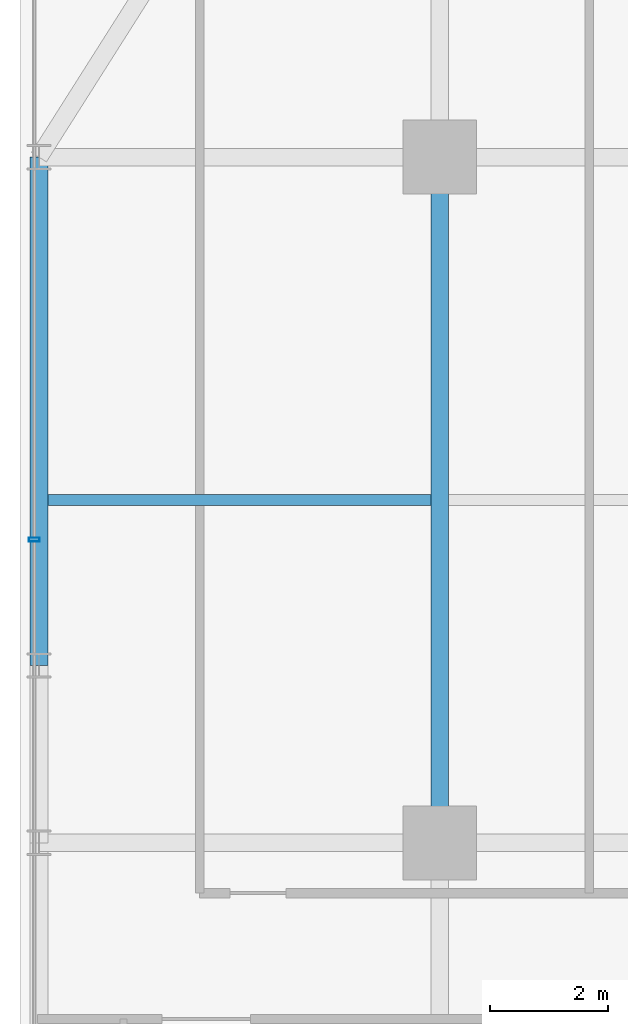
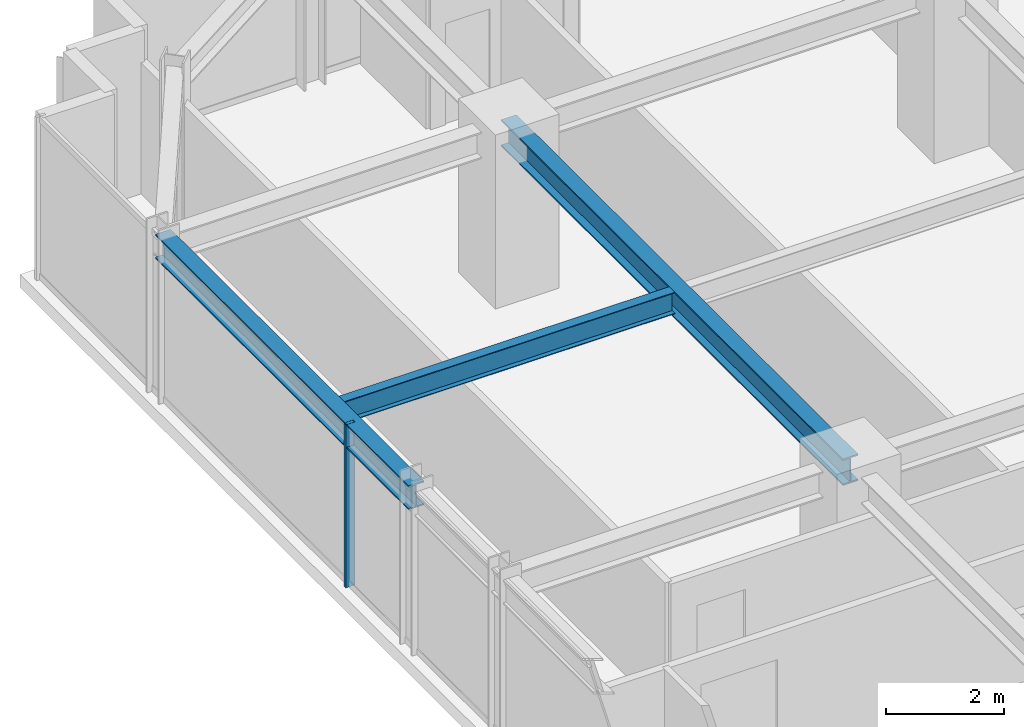
# One storey, part 16 of 41: 3 beams, 1 member, 1 element without a shape of its own.
"""IFC4 building model written with IfcOpenShell, lengths in metres."""

import ifcopenshell
import ifcopenshell.guid

model = None  # the IFC model being written
_history = None  # IfcOwnerHistory: only IFC2X3 demands one
_inside = {}  # id of a spatial element -> (the spatial element, [elements in it])
_under = {}  # id of a project, library or spatial element -> (it, [spatial elements below it])
_declared = {}  # id of a project -> (the project, [libraries it declares])
_typed = {}  # id of a type object -> (the type object, [elements of that type])
_made_of = {}  # id of a material, layer set ... -> (it, [elements and type objects made of it])


def new_model(schema):
    """Start an empty IFC model of exactly this schema.

    Asked for "IFC4X3", IfcOpenShell would pick the latest addendum, in which some entities
    have other attributes; the version numbers below select the first issue.
    IFC2X3 requires an IfcOwnerHistory on every rooted entity: one is made here for all.
    """
    global model, _history
    if schema == "IFC4X3":
        model = ifcopenshell.file(schema_version=(4, 3, 0, 0))
    else:
        model = ifcopenshell.file(schema=schema)
    _inside.clear()
    _under.clear()
    _declared.clear()
    _typed.clear()
    _made_of.clear()
    _history = None
    if model.schema == "IFC2X3":
        org = make("IfcOrganization", Name="unknown")
        user = make(
            "IfcPersonAndOrganization",
            ThePerson=make("IfcPerson", FamilyName="unknown"),
            TheOrganization=org,
        )
        app = make(
            "IfcApplication",
            ApplicationDeveloper=org,
            Version="unknown",
            ApplicationFullName="unknown",
            ApplicationIdentifier="unknown",
        )
        _history = make(
            "IfcOwnerHistory",
            OwningUser=user,
            OwningApplication=app,
            ChangeAction="ADDED",
            CreationDate=0,
        )
    return model


def make(cls, **values):
    """One entity of the class cls with the attributes given. An attribute that is None is left unset."""
    return model.create_entity(
        cls, **{name: value for name, value in values.items() if value is not None}
    )


def rooted(cls, **values):
    """An entity with a GlobalId (a new one), such as an element, a storey or a relation."""
    return make(cls, GlobalId=ifcopenshell.guid.new(), OwnerHistory=_history, **values)


def si_unit(unit_type, name, prefix=None):
    """IfcSIUnit, for example si_unit("LENGTHUNIT", "METRE", prefix="MILLI")."""
    return make("IfcSIUnit", UnitType=unit_type, Prefix=prefix, Name=name)


def assignment(units):
    """IfcUnitAssignment: the units of a project."""
    return None if units is None else make("IfcUnitAssignment", Units=units)


def point(xyz):
    """IfcCartesianPoint."""
    return None if xyz is None else make("IfcCartesianPoint", Coordinates=xyz)


def direction(xyz):
    """IfcDirection."""
    return None if xyz is None else make("IfcDirection", DirectionRatios=xyz)


def frame(location, z_axis=None, x_axis=None):
    """IfcAxis2Placement3D, a coordinate frame: its origin and axes. An axis left out is left unset."""
    return make(
        "IfcAxis2Placement3D",
        Location=point(location),
        Axis=direction(z_axis),
        RefDirection=direction(x_axis),
    )


def frame_2d(location, x_axis=None):
    """IfcAxis2Placement2D, a coordinate frame in the plane: its origin and x axis."""
    return make(
        "IfcAxis2Placement2D", Location=point(location), RefDirection=direction(x_axis)
    )


def origin():
    """The frame at (0, 0, 0) with its axes left unset."""
    return frame((0.0, 0.0, 0.0))


def origin_2d():
    """The frame at (0, 0) in the plane with its x axis left unset."""
    return frame_2d((0.0, 0.0))


def place(relative_to, where):
    """IfcLocalPlacement: puts the frame where relative to a parent placement (None: the world)."""
    return make(
        "IfcLocalPlacement", PlacementRelTo=relative_to, RelativePlacement=where
    )


def context(
    kind, dimensions, precision=None, world=None, true_north=None, identifier=None
):
    """IfcGeometricRepresentationContext, for example the 3D "Model" context."""
    return make(
        "IfcGeometricRepresentationContext",
        ContextIdentifier=identifier,
        ContextType=kind,
        CoordinateSpaceDimension=dimensions,
        Precision=precision,
        WorldCoordinateSystem=world,
        TrueNorth=true_north,
    )


def subcontext(parent, identifier, kind, view, scale=None):
    """IfcGeometricRepresentationSubContext, for example "Body" below "Model"."""
    return make(
        "IfcGeometricRepresentationSubContext",
        ContextIdentifier=identifier,
        ContextType=kind,
        ParentContext=parent,
        TargetScale=scale,
        TargetView=view,
    )


def project(units=None, contexts=None):
    """IfcProject with its units and contexts."""
    return rooted(
        "IfcProject",
        Name="project",
        RepresentationContexts=contexts,
        UnitsInContext=assignment(units),
    )


def spatial(cls, under=None, at=None, **own):
    """A site, building, storey or space (cls), placed at a placement, below another one or the project."""
    s = rooted(cls, ObjectPlacement=at, **own)
    if under is not None:
        _under.setdefault(under.id(), (under, []))[1].append(s)
    return s


def profile(cls, at=None, kind="AREA", **sizes):
    """A parametric profile (cls). Its sizes go by their IFC names, for example OverallWidth=200.0."""
    return make(cls, ProfileType=kind, Position=at, **sizes)


def hollow_rectangle(**sizes):
    """IfcRectangleHollowProfileDef."""
    return profile("IfcRectangleHollowProfileDef", **sizes)


def i_section(**sizes):
    """IfcIShapeProfileDef."""
    return profile("IfcIShapeProfileDef", **sizes)


def extrude(swept, where, along, depth):
    """IfcExtrudedAreaSolid: the profile swept, set in the frame where, extruded along a direction by depth."""
    return make(
        "IfcExtrudedAreaSolid",
        SweptArea=swept,
        Position=where,
        ExtrudedDirection=direction(along),
        Depth=depth,
    )


def shape(context_of_items, identifier, shape_type, items):
    """IfcShapeRepresentation: the items that make up one representation, for example the "Body"."""
    return make(
        "IfcShapeRepresentation",
        ContextOfItems=context_of_items,
        RepresentationIdentifier=identifier,
        RepresentationType=shape_type,
        Items=items,
    )


def source(mapping_origin, context_of_items, identifier, shape_type, items):
    """IfcRepresentationMap: a shape defined once, which mapped items show again and again."""
    return make(
        "IfcRepresentationMap",
        MappingOrigin=mapping_origin,
        MappedRepresentation=shape(context_of_items, identifier, shape_type, items),
    )


def transform(
    local_origin,
    x_axis=None,
    y_axis=None,
    z_axis=None,
    scale=None,
    scale2=None,
    scale3=None,
    uniform=True,
):
    """IfcCartesianTransformationOperator3D, or its non-uniform kind. x_axis, y_axis, z_axis: its Axis1, 2, 3."""
    if uniform:
        return make(
            "IfcCartesianTransformationOperator3D",
            Axis1=direction(x_axis),
            Axis2=direction(y_axis),
            LocalOrigin=point(local_origin),
            Scale=scale,
            Axis3=direction(z_axis),
        )
    return make(
        "IfcCartesianTransformationOperator3DnonUniform",
        Axis1=direction(x_axis),
        Axis2=direction(y_axis),
        LocalOrigin=point(local_origin),
        Scale=scale,
        Axis3=direction(z_axis),
        Scale2=scale2,
        Scale3=scale3,
    )


def mapped(mapping_source, mapping_target):
    """IfcMappedItem: shows the shape of a source again, moved by a transform."""
    return make(
        "IfcMappedItem", MappingSource=mapping_source, MappingTarget=mapping_target
    )


def material(Name=None, Category=None):
    """IfcMaterial."""
    return make("IfcMaterial", Name=Name, Category=Category)


def material_profile(
    of_material, cross_section, Name=None, Category=None, Priority=None
):
    """IfcMaterialProfile: a cross section and its material."""
    return make(
        "IfcMaterialProfile",
        Name=Name,
        Material=of_material,
        Profile=cross_section,
        Priority=Priority,
        Category=Category,
    )


def profile_set(profiles, Name=None, composite=None):
    """IfcMaterialProfileSet."""
    return make(
        "IfcMaterialProfileSet",
        Name=Name,
        MaterialProfiles=profiles,
        CompositeProfile=composite,
    )


def made_of(thing, what):
    """Note that an element or type object is made of a material, layer set ...; save() writes the relation."""
    if what is not None:
        _made_of.setdefault(what.id(), (what, []))[1].append(thing)
    return thing


def type_object(cls, material=None, **own):
    """A type object (cls), such as IfcWallType, which elements share."""
    return made_of(rooted(cls, **own), material)


def element(
    cls,
    number,
    at=None,
    inside=None,
    cuts=None,
    type_object=None,
    material=None,
    context=None,
    identifier="Body",
    shape_type=None,
    held_by="IfcProductDefinitionShape",
    body=None,
    shapes=None,
    **own,
):
    """One element of the class cls, such as IfcWall. Its Tag is "e" and its number.

    at: its placement. inside: the storey or other place that contains it. cuts: it is an
    opening in that element (IfcRelVoidsElement). A single representation is given by context,
    identifier, shape_type and body (its items); several are given by shapes. held_by: the class
    of the entity that holds the representations. save() writes the other relations.
    """
    e = rooted(cls, Tag="e%d" % number, ObjectPlacement=at, **own)
    if body is not None:
        shapes = [shape(context, identifier, shape_type, body)]
    if shapes is not None:
        e.Representation = make(held_by, Representations=shapes)
    if inside is not None:
        _inside.setdefault(inside.id(), (inside, []))[1].append(e)
    if cuts is not None:
        rooted(
            "IfcRelVoidsElement", RelatingBuildingElement=cuts, RelatedOpeningElement=e
        )
    if type_object is not None:
        _typed.setdefault(type_object.id(), (type_object, []))[1].append(e)
    return made_of(e, material)


def aggregate(whole, parts):
    """IfcRelAggregates: a whole, such as a stair, and the parts it consists of."""
    return rooted("IfcRelAggregates", RelatingObject=whole, RelatedObjects=parts)


def save(model, path):
    """Write the relations noted so far, then the file.

    IfcRelAggregates (storeys below a building ...), IfcRelContainedInSpatialStructure (elements
    in a storey), IfcRelDefinesByType, IfcRelAssociatesMaterial and IfcRelDeclares: one each for
    every whole, place, type object, material and project.
    """
    for whole, parts in _under.values():
        aggregate(whole, parts)
    for where, things in _inside.values():
        rooted(
            "IfcRelContainedInSpatialStructure",
            RelatedElements=things,
            RelatingStructure=where,
        )
    for kind, things in _typed.values():
        rooted("IfcRelDefinesByType", RelatedObjects=things, RelatingType=kind)
    for what, things in _made_of.values():
        rooted("IfcRelAssociatesMaterial", RelatedObjects=things, RelatingMaterial=what)
    for by, libraries in _declared.values():
        rooted("IfcRelDeclares", RelatingContext=by, RelatedDefinitions=libraries)
    model.write(path)


model = new_model("IFC4")

# Units and contexts
model_context = context("Model", 3, precision=1e-05, world=origin(), true_north=direction((0.0, 1.0)))
body_context = subcontext(model_context, "Body", "Model", "MODEL_VIEW")
ifc_project = project(units=[si_unit("LENGTHUNIT", "METRE"), si_unit("AREAUNIT", "SQUARE_METRE"), si_unit("VOLUMEUNIT", "CUBIC_METRE"), si_unit("PLANEANGLEUNIT", "RADIAN"), si_unit("MASSUNIT", "GRAM", prefix="KILO")], contexts=[model_context])

# Site, building, storey
site_placement = place(None, origin())
site = spatial("IfcSite", under=ifc_project, at=site_placement, CompositionType="ELEMENT")
building_placement = place(site_placement, origin())
building = spatial("IfcBuilding", under=site, at=building_placement, Name="Nahalor Promenade Grand Hotel", CompositionType="ELEMENT")
storey_placement = place(building_placement, frame((0.0, 0.0, 113.85009765625)))
storey = spatial("IfcBuildingStorey", under=building, at=storey_placement, Name="L28", CompositionType="ELEMENT", Elevation=113.85009765625)

# Beams
ifc_material_1 = material(Name="Steel S355JR", Category="steel")
ifc_material_profile_1 = material_profile(ifc_material_1, i_section(OverallWidth=0.3, OverallDepth=0.5, WebThickness=0.0145, FlangeThickness=0.028, at=origin_2d()), Name="HEB 500")
ifc_profile_set_1 = profile_set([ifc_material_profile_1], Name="Steel S355JR")
beam_type_1 = type_object("IfcBeamType", Name="Beam-Spandrel-HEB500", PredefinedType="SPANDREL", material=ifc_profile_set_1)
shared_shape_1 = source(origin(), body_context, "Body", "SweptSolid", [
    extrude(i_section(OverallWidth=0.3, OverallDepth=0.5, WebThickness=0.0145, FlangeThickness=0.028, at=origin_2d()), origin(), (0.0, 0.0, 1.0), 8.60009765625),
])
beam_1_placement = place(storey_placement, frame((-23.780029296875, 8.39990234375, 3.1298828125), z_axis=(0.0, 1.0, 0.0), x_axis=(-1.0, 0.0, 0.0)))
element("IfcBeam", 1, at=beam_1_placement, inside=storey, type_object=beam_type_1, Name="BM-L28-SP-W-4", PredefinedType="SPANDREL", context=body_context, shape_type="MappedRepresentation", body=[
    mapped(shared_shape_1, transform((0.0, 0.0, 0.0), scale=1.0)),
])
ifc_material_profile_2 = material_profile(ifc_material_1, i_section(OverallWidth=0.3, OverallDepth=0.55, WebThickness=0.015, FlangeThickness=0.029, at=origin_2d()), Name="HEB 550")
ifc_profile_set_2 = profile_set([ifc_material_profile_2], Name="Steel S355JR")
beam_type_2 = type_object("IfcBeamType", Name="Beam-Girder-HEB550", PredefinedType="BEAM", material=ifc_profile_set_2)
shared_shape_2 = source(origin(), body_context, "Body", "SweptSolid", [
    extrude(i_section(OverallWidth=0.3, OverallDepth=0.55, WebThickness=0.015, FlangeThickness=0.029, at=origin_2d()), origin(), (0.0, 0.0, 1.0), 11.60009765625),
])
beam_2_placement = place(storey_placement, frame((-17.0, 5.39990234375, 3.10498046875), z_axis=(0.0, 1.0, 0.0), x_axis=(-1.0, 0.0, 0.0)))
element("IfcBeam", 2, at=beam_2_placement, inside=storey, type_object=beam_type_2, Name="BM-L28-GY-0-3", PredefinedType="BEAM", context=body_context, shape_type="MappedRepresentation", body=[
    mapped(shared_shape_2, transform((0.0, 0.0, 0.0), scale=1.0)),
])
ifc_material_profile_3 = material_profile(ifc_material_1, i_section(OverallWidth=0.19, OverallDepth=0.45, WebThickness=0.0094, FlangeThickness=0.0146, at=origin_2d()), Name="IPE 450")
ifc_profile_set_3 = profile_set([ifc_material_profile_3], Name="Steel S355JR")
beam_type_3 = type_object("IfcBeamType", Name="Beam-Joist-IPE450", PredefinedType="JOIST", material=ifc_profile_set_3)
shared_shape_3 = source(origin(), body_context, "Body", "SweptSolid", [
    extrude(i_section(OverallWidth=0.19, OverallDepth=0.45, WebThickness=0.0094, FlangeThickness=0.0146, at=origin_2d()), origin(), (0.0, 0.0, 1.0), 6.47998046875),
])
beam_3_placement = place(storey_placement, frame((-23.6298828125, 11.199951171875, 3.15478515625), z_axis=(1.0, 0.0, 0.0), x_axis=(0.0, 1.0, 0.0)))
element("IfcBeam", 3, at=beam_3_placement, inside=storey, type_object=beam_type_3, Name="BM-L28-JSW-1-0", PredefinedType="JOIST", context=body_context, shape_type="MappedRepresentation", body=[
    mapped(shared_shape_3, transform((0.0, 0.0, 0.0), scale=1.0)),
])

# Curtain wall, member
ifc_material_2 = material(Name="Anodised Bronze Aluminium EN AW-6063 T6", Category="aluminium")
curtain_wall_type = type_object("IfcCurtainWallType", Name="CW2 Typical Hotel Flush Bronze Unitised Curtain Wall", PredefinedType="USERDEFINED", material=ifc_material_2)
curtain_wall_placement = place(storey_placement, origin())
curtain_wall = element("IfcCurtainWall", 4, at=curtain_wall_placement, inside=storey, type_object=curtain_wall_type, Name="L28 Curtain Wall CW-L28-W-1", ObjectType="UNITISED_CURTAIN_WALL", PredefinedType="USERDEFINED")
ifc_material_profile_4 = material_profile(ifc_material_2, hollow_rectangle(XDim=0.065, YDim=0.18, WallThickness=0.004, at=origin_2d()), Name="CWM 65x180x4")
ifc_profile_set_4 = profile_set([ifc_material_profile_4], Name="Anodised Bronze Aluminium EN AW-6063 T6")
member_type = type_object("IfcMemberType", Name="CWM2 Typical Bronze Mullion 65x180", PredefinedType="MULLION", material=ifc_profile_set_4)
shared_shape_4 = source(origin(), body_context, "Body", "SweptSolid", [
    extrude(hollow_rectangle(XDim=0.065, YDim=0.18, WallThickness=0.004, at=origin_2d()), origin(), (0.0, 0.0, 1.0), 3.3798828125),
])
member_placement = place(storey_placement, frame((-23.860107421875, 10.530029296875, 0.0), z_axis=(0.0, 0.0, 1.0), x_axis=(0.0, 1.0, 0.0)))
member = element("IfcMember", 5, at=member_placement, type_object=member_type, Name="CW-L28-W-1 Mullion 3", PredefinedType="MULLION", context=body_context, shape_type="MappedRepresentation", body=[
    mapped(shared_shape_4, transform((0.0, 0.0, 0.0), scale=1.0)),
])
aggregate(curtain_wall, [member])

save(model, "model.ifc")
